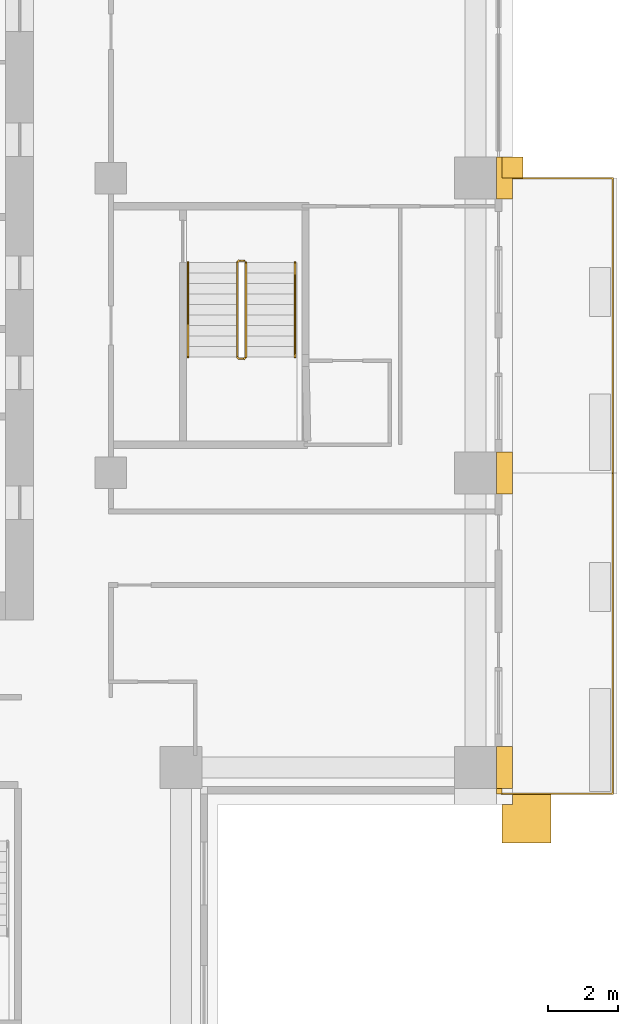
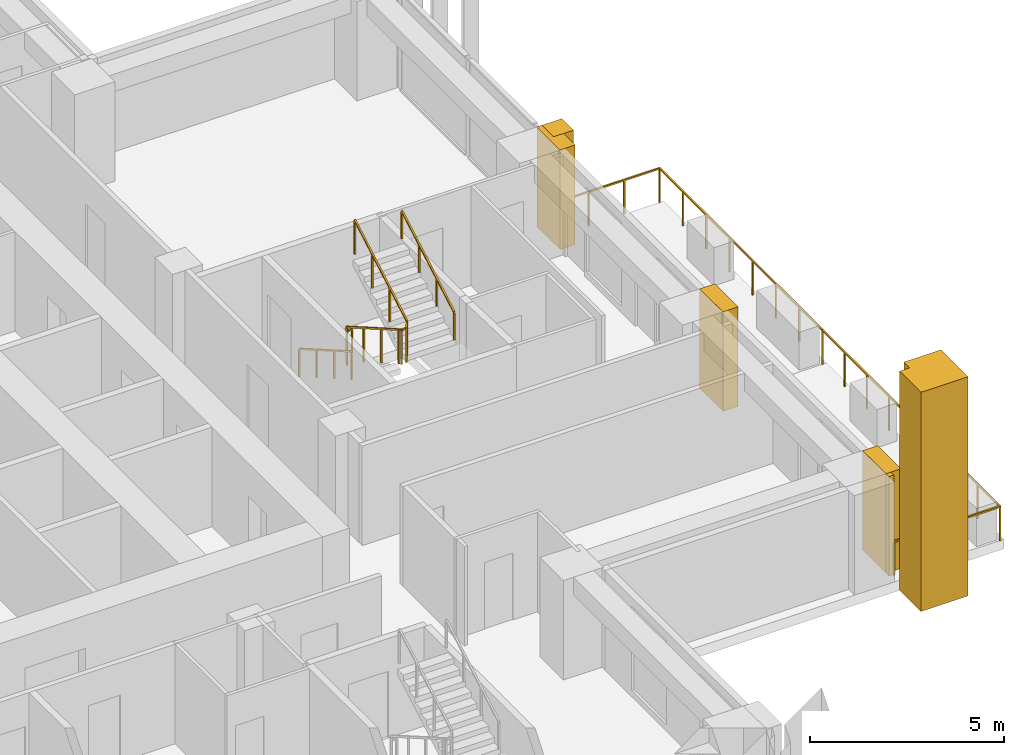
# One storey, part 17 of 19: 6 coverings, 5 railings.
"""IFC4 building model written with IfcOpenShell, lengths in metres."""

from ifc_helpers import new_model, si_unit, direction, frame, origin, origin_2d, place, context, subcontext, project, spatial, polyline, rectangle, outline, extrude, material, type_object, element, save


model = new_model("IFC4")

# Units and contexts
model_context = context("Model", 3, precision=1e-05, world=origin(), true_north=direction((0.0, 1.0)))
body_context = subcontext(model_context, "Body", "Model", "MODEL_VIEW")
ifc_project = project(units=[si_unit("LENGTHUNIT", "METRE"), si_unit("AREAUNIT", "SQUARE_METRE"), si_unit("VOLUMEUNIT", "CUBIC_METRE"), si_unit("PLANEANGLEUNIT", "RADIAN"), si_unit("MASSUNIT", "GRAM", prefix="KILO")], contexts=[model_context])

# Site, building, storey
site_placement = place(None, origin())
site = spatial("IfcSite", under=ifc_project, at=site_placement, CompositionType="ELEMENT")
building_placement = place(site_placement, origin())
building = spatial("IfcBuilding", under=site, at=building_placement, Name="Vermilion Ogive Tower", CompositionType="ELEMENT")
storey_placement = place(building_placement, frame((0.0, 0.0, 104.550048828125)))
storey = spatial("IfcBuildingStorey", under=building, at=storey_placement, Name="L26", CompositionType="ELEMENT", Elevation=104.550048828125)

# Railings
ifc_material_1 = material(Name="Stainless steel and glass", Category="steel")
railing_type_1 = type_object("IfcRailingType", Name="Balcony guard", PredefinedType="GUARDRAIL", material=ifc_material_1)
railing_1_placement = place(storey_placement, frame((25.949951171875, -13.35009765625, -0.0400390625)))
element("IfcRailing", 1, at=railing_1_placement, inside=storey, type_object=railing_type_1, Name="Guard E01", PredefinedType="GUARDRAIL", context=body_context, shape_type="SweptSolid", body=[
    extrude(rectangle(XDim=0.048095703125, YDim=0.048095703125, at=origin_2d()), frame((0.0, 0.0, 1.076171875), z_axis=(1.0, 0.0, 0.0), x_axis=(0.0, 1.0, 0.0)), (0.0, 0.0, 1.0), 3.16015625),
    extrude(rectangle(XDim=0.048095703125, YDim=0.048095703125, at=origin_2d()), frame((3.16015625, 0.0, 1.076171875), z_axis=(0.0, 1.0, 0.0), x_axis=(-1.0, 0.0, 0.0)), (0.0, 0.0, 1.0), 9.150146484375),
    extrude(rectangle(XDim=0.0419921875, YDim=0.0419921875, at=origin_2d()), origin(), (0.0, 0.0, 1.0), 1.052001953125),
    extrude(rectangle(XDim=0.0419921875, YDim=0.0419921875, at=origin_2d()), frame((1.053466796875, 0.0, 0.0)), (0.0, 0.0, 1.0), 1.052001953125),
    extrude(rectangle(XDim=0.0419921875, YDim=0.0419921875, at=origin_2d()), frame((2.106689453125, 0.0, 0.0)), (0.0, 0.0, 1.0), 1.052001953125),
    extrude(rectangle(XDim=0.0419921875, YDim=0.0419921875, at=origin_2d()), frame((3.16015625, 0.0, 0.0)), (0.0, 0.0, 1.0), 1.052001953125),
    extrude(rectangle(XDim=0.0419921875, YDim=0.0419921875, at=origin_2d()), frame((3.16015625, 1.143798828125, 0.0)), (0.0, 0.0, 1.0), 1.052001953125),
    extrude(rectangle(XDim=0.0419921875, YDim=0.0419921875, at=origin_2d()), frame((3.16015625, 2.28759765625, 0.0)), (0.0, 0.0, 1.0), 1.052001953125),
    extrude(rectangle(XDim=0.0419921875, YDim=0.0419921875, at=origin_2d()), frame((3.16015625, 3.431396484375, 0.0)), (0.0, 0.0, 1.0), 1.052001953125),
    extrude(rectangle(XDim=0.0419921875, YDim=0.0419921875, at=origin_2d()), frame((3.16015625, 4.5751953125, 0.0)), (0.0, 0.0, 1.0), 1.052001953125),
    extrude(rectangle(XDim=0.0419921875, YDim=0.0419921875, at=origin_2d()), frame((3.16015625, 5.71875, 0.0)), (0.0, 0.0, 1.0), 1.052001953125),
    extrude(rectangle(XDim=0.0419921875, YDim=0.0419921875, at=origin_2d()), frame((3.16015625, 6.862548828125, 0.0)), (0.0, 0.0, 1.0), 1.052001953125),
    extrude(rectangle(XDim=0.0419921875, YDim=0.0419921875, at=origin_2d()), frame((3.16015625, 8.00634765625, 0.0)), (0.0, 0.0, 1.0), 1.052001953125),
    extrude(rectangle(XDim=0.0419921875, YDim=0.0419921875, at=origin_2d()), frame((3.16015625, 9.150146484375, 0.0)), (0.0, 0.0, 1.0), 1.052001953125),
])
railing_2_placement = place(storey_placement, frame((29.110107421875, -4.199951171875, -0.0400390625)))
element("IfcRailing", 2, at=railing_2_placement, inside=storey, type_object=railing_type_1, Name="Guard E02", PredefinedType="GUARDRAIL", context=body_context, shape_type="SweptSolid", body=[
    extrude(rectangle(XDim=0.048095703125, YDim=0.048095703125, at=origin_2d()), frame((0.0, 0.0, 1.076171875), z_axis=(0.0, 1.0, 0.0), x_axis=(-1.0, 0.0, 0.0)), (0.0, 0.0, 1.0), 8.39990234375),
    extrude(rectangle(XDim=0.048095703125, YDim=0.048095703125, at=origin_2d()), frame((0.0, 8.39990234375, 1.076171875), z_axis=(-1.0, 0.0, 0.0), x_axis=(0.0, -1.0, 0.0)), (0.0, 0.0, 1.0), 3.16015625),
    extrude(rectangle(XDim=0.0419921875, YDim=0.0419921875, at=origin_2d()), origin(), (0.0, 0.0, 1.0), 1.052001953125),
    extrude(rectangle(XDim=0.0419921875, YDim=0.0419921875, at=origin_2d()), frame((0.0, 1.199951171875, 0.0)), (0.0, 0.0, 1.0), 1.052001953125),
    extrude(rectangle(XDim=0.0419921875, YDim=0.0419921875, at=origin_2d()), frame((0.0, 2.39990234375, 0.0)), (0.0, 0.0, 1.0), 1.052001953125),
    extrude(rectangle(XDim=0.0419921875, YDim=0.0419921875, at=origin_2d()), frame((0.0, 3.599853515625, 0.0)), (0.0, 0.0, 1.0), 1.052001953125),
    extrude(rectangle(XDim=0.0419921875, YDim=0.0419921875, at=origin_2d()), frame((0.0, 4.800048828125, 0.0)), (0.0, 0.0, 1.0), 1.052001953125),
    extrude(rectangle(XDim=0.0419921875, YDim=0.0419921875, at=origin_2d()), frame((0.0, 6.0, 0.0)), (0.0, 0.0, 1.0), 1.052001953125),
    extrude(rectangle(XDim=0.0419921875, YDim=0.0419921875, at=origin_2d()), frame((0.0, 7.199951171875, 0.0)), (0.0, 0.0, 1.0), 1.052001953125),
    extrude(rectangle(XDim=0.0419921875, YDim=0.0419921875, at=origin_2d()), frame((0.0, 8.39990234375, 0.0)), (0.0, 0.0, 1.0), 1.052001953125),
    extrude(rectangle(XDim=0.0419921875, YDim=0.0419921875, at=origin_2d()), frame((-1.053466796875, 8.39990234375, 0.0)), (0.0, 0.0, 1.0), 1.052001953125),
    extrude(rectangle(XDim=0.0419921875, YDim=0.0419921875, at=origin_2d()), frame((-2.106689453125, 8.39990234375, 0.0)), (0.0, 0.0, 1.0), 1.052001953125),
    extrude(rectangle(XDim=0.0419921875, YDim=0.0419921875, at=origin_2d()), frame((-3.16015625, 8.39990234375, 0.0)), (0.0, 0.0, 1.0), 1.052001953125),
])
ifc_material_2 = material(Name="Steel S355 painted", Category="steel")
railing_type_2 = type_object("IfcRailingType", Name="Stair guard 1100", PredefinedType="GUARDRAIL", material=ifc_material_2)
railing_3_placement = place(storey_placement, frame((18.60009765625, 1.85009765625, 0.0)))
element("IfcRailing", 3, at=railing_3_placement, inside=storey, type_object=railing_type_2, Name="L26 ST8 stair guard 4", PredefinedType="GUARDRAIL", context=body_context, shape_type="SweptSolid", body=[
    extrude(rectangle(XDim=0.048095703125, YDim=0.048095703125, at=origin_2d()), frame((0.0, 0.0, 1.076171875), z_axis=(-1.0, 0.0, 0.0), x_axis=(0.0, -1.0, 0.0)), (0.0, 0.0, 1.0), 0.150146484375),
    extrude(rectangle(XDim=0.048095703125, YDim=0.048095703125, at=origin_2d()), frame((-0.150146484375, 0.0, 1.076171875), z_axis=(-0.268603158521, -0.268603158521, 0.925043072762), x_axis=(0.707106781187, -0.707106781187, 0.0)), (0.0, 0.0, 1.0), 0.186279296875),
    extrude(rectangle(XDim=0.048095703125, YDim=0.048095703125, at=origin_2d()), frame((-0.2001953125, -0.050048828125, 1.24853515625), z_axis=(0.0, -0.866903762492, 0.498475542607), x_axis=(1.0, 0.0, 0.0)), (0.0, 0.0, 1.0), 3.114501953125),
    extrude(rectangle(XDim=0.048095703125, YDim=0.048095703125, at=origin_2d()), frame((-0.2001953125, -2.75, 2.80078125), z_axis=(0.707106781187, -0.707106781187, 0.0), x_axis=(0.707106781187, 0.707106781187, 0.0)), (0.0, 0.0, 1.0), 0.07080078125),
    extrude(rectangle(XDim=0.048095703125, YDim=0.048095703125, at=origin_2d()), frame((-0.150146484375, -2.800048828125, 2.80078125), z_axis=(1.0, 0.0, 0.0), x_axis=(0.0, 1.0, 0.0)), (0.0, 0.0, 1.0), 0.150146484375),
    extrude(rectangle(XDim=0.048095703125, YDim=0.048095703125, at=origin_2d()), frame((0.0, -2.800048828125, 2.80078125), z_axis=(0.267062837333, 0.268371968888, 0.925556009775), x_axis=(-0.708833529934, 0.705375805398, 0.0)), (0.0, 0.0, 1.0), 0.1865234375),
    extrude(rectangle(XDim=0.048095703125, YDim=0.048095703125, at=origin_2d()), frame((0.0498046875, -2.75, 2.9736328125), z_axis=(0.0, 0.866903762492, 0.498475542607), x_axis=(-1.0, 0.0, 0.0)), (0.0, 0.0, 1.0), 3.114501953125),
    extrude(rectangle(XDim=0.0419921875, YDim=0.0419921875, at=origin_2d()), origin(), (0.0, 0.0, 1.0), 1.052001953125),
    extrude(rectangle(XDim=0.0419921875, YDim=0.0419921875, at=origin_2d()), frame((-0.150146484375, 0.0, 0.0)), (0.0, 0.0, 1.0), 1.052001953125),
    extrude(rectangle(XDim=0.0419921875, YDim=0.0419921875, at=origin_2d()), frame((-0.2001953125, -0.050048828125, 0.17236328125)), (0.0, 0.0, 1.0), 1.052001953125),
    extrude(rectangle(XDim=0.0419921875, YDim=0.0419921875, at=origin_2d()), frame((-0.2001953125, -0.949951171875, 0.68994140625)), (0.0, 0.0, 1.0), 1.052001953125),
    extrude(rectangle(XDim=0.0419921875, YDim=0.0419921875, at=origin_2d()), frame((-0.2001953125, -1.85009765625, 1.207275390625)), (0.0, 0.0, 1.0), 1.052001953125),
    extrude(rectangle(XDim=0.0419921875, YDim=0.0419921875, at=origin_2d()), frame((-0.2001953125, -2.75, 1.724853515625)), (0.0, 0.0, 1.0), 1.052001953125),
    extrude(rectangle(XDim=0.0419921875, YDim=0.0419921875, at=origin_2d()), frame((-0.150146484375, -2.800048828125, 1.724853515625)), (0.0, 0.0, 1.0), 1.052001953125),
    extrude(rectangle(XDim=0.0419921875, YDim=0.0419921875, at=origin_2d()), frame((0.0, -2.800048828125, 1.724853515625)), (0.0, 0.0, 1.0), 1.052001953125),
    extrude(rectangle(XDim=0.0419921875, YDim=0.0419921875, at=origin_2d()), frame((0.0498046875, -2.75, 1.8974609375)), (0.0, 0.0, 1.0), 1.052001953125),
    extrude(rectangle(XDim=0.0419921875, YDim=0.0419921875, at=origin_2d()), frame((0.0498046875, -1.85009765625, 2.4150390625)), (0.0, 0.0, 1.0), 1.052001953125),
    extrude(rectangle(XDim=0.0419921875, YDim=0.0419921875, at=origin_2d()), frame((0.0498046875, -0.949951171875, 2.932373046875)), (0.0, 0.0, 1.0), 1.052001953125),
    extrude(rectangle(XDim=0.0419921875, YDim=0.0419921875, at=origin_2d()), frame((0.0498046875, -0.050048828125, 3.449951171875)), (0.0, 0.0, 1.0), 1.052001953125),
])
ifc_material_3 = material(Name="Stainless steel", Category="steel")
railing_type_3 = type_object("IfcRailingType", Name="Stair handrail 900", PredefinedType="HANDRAIL", material=ifc_material_3)
railing_4_placement = place(storey_placement, frame((17.0, 1.800048828125, 0.17236328125)))
element("IfcRailing", 4, at=railing_4_placement, inside=storey, type_object=railing_type_3, Name="L26 ST8 stair handrail 1", PredefinedType="HANDRAIL", context=body_context, shape_type="SweptSolid", body=[
    extrude(rectangle(XDim=0.048095703125, YDim=0.048095703125, at=origin_2d()), frame((0.0, 0.0, 0.8759765625), z_axis=(0.0, -0.866903762492, 0.498475542607), x_axis=(1.0, 0.0, 0.0)), (0.0, 0.0, 1.0), 3.114501953125),
    extrude(rectangle(XDim=0.0419921875, YDim=0.0419921875, at=origin_2d()), origin(), (0.0, 0.0, 1.0), 0.851806640625),
    extrude(rectangle(XDim=0.0419921875, YDim=0.0419921875, at=origin_2d()), frame((0.0, -0.89990234375, 0.517578125)), (0.0, 0.0, 1.0), 0.851806640625),
    extrude(rectangle(XDim=0.0419921875, YDim=0.0419921875, at=origin_2d()), frame((0.0, -1.800048828125, 1.034912109375)), (0.0, 0.0, 1.0), 0.851806640625),
    extrude(rectangle(XDim=0.0419921875, YDim=0.0419921875, at=origin_2d()), frame((0.0, -2.699951171875, 1.552490234375)), (0.0, 0.0, 1.0), 0.851806640625),
])
railing_5_placement = place(storey_placement, frame((20.050048828125, -0.89990234375, 1.8974609375)))
element("IfcRailing", 5, at=railing_5_placement, inside=storey, type_object=railing_type_3, Name="L26 ST8 stair handrail 2", PredefinedType="HANDRAIL", context=body_context, shape_type="SweptSolid", body=[
    extrude(rectangle(XDim=0.048095703125, YDim=0.048095703125, at=origin_2d()), frame((0.0, 0.0, 0.8759765625), z_axis=(0.0, 0.866903762492, 0.498475542607), x_axis=(-1.0, 0.0, 0.0)), (0.0, 0.0, 1.0), 3.114501953125),
    extrude(rectangle(XDim=0.0419921875, YDim=0.0419921875, at=origin_2d()), origin(), (0.0, 0.0, 1.0), 0.851806640625),
    extrude(rectangle(XDim=0.0419921875, YDim=0.0419921875, at=origin_2d()), frame((0.0, 0.89990234375, 0.517578125)), (0.0, 0.0, 1.0), 0.851806640625),
    extrude(rectangle(XDim=0.0419921875, YDim=0.0419921875, at=origin_2d()), frame((0.0, 1.800048828125, 1.034912109375)), (0.0, 0.0, 1.0), 0.851806640625),
    extrude(rectangle(XDim=0.0419921875, YDim=0.0419921875, at=origin_2d()), frame((0.0, 2.699951171875, 1.552490234375)), (0.0, 0.0, 1.0), 0.851806640625),
])

# Coverings
ifc_material_4 = material(Name="Stone cladding", Category="masonry")
covering_type_1 = type_object("IfcCoveringType", Name="Stone corner buttress", PredefinedType="CLADDING", material=ifc_material_4)
covering_1_placement = place(storey_placement, origin())
element("IfcCovering", 6, at=covering_1_placement, inside=storey, type_object=covering_type_1, Name="Stone crease pier EK", PredefinedType="CLADDING", context=body_context, shape_type="SweptSolid", body=[
    extrude(outline(polyline([(26.550048828125, 4.199951171875), (26.550048828125, 4.800048828125), (25.949951171875, 4.800048828125), (25.949951171875, 4.199951171875), (26.550048828125, 4.199951171875)])), origin(), (0.0, 0.0, 1.0), 3.1298828125),
])
covering_2_placement = place(storey_placement, frame((0.0, 0.0, -0.320068359375)))
element("IfcCovering", 7, at=covering_2_placement, inside=storey, type_object=covering_type_1, Name="Stone corner buttress E1", PredefinedType="CLADDING", context=body_context, shape_type="SweptSolid", body=[
    extrude(outline(polyline([(26.25, -13.64990234375), (26.25, -13.35009765625), (27.35009765625, -13.35009765625), (27.35009765625, -14.75), (25.949951171875, -14.75), (25.949951171875, -13.64990234375), (26.25, -13.64990234375)])), origin(), (0.0, 0.0, 1.0), 6.89990234375),
])
ifc_material_5 = material(Name="Stone cladding", Category="masonry")
covering_type_2 = type_object("IfcCoveringType", Name="Stone pier", PredefinedType="CLADDING", material=ifc_material_5)
covering_3_placement = place(storey_placement, origin())
element("IfcCovering", 8, at=covering_3_placement, inside=storey, type_object=covering_type_2, Name="Stone corner pier X2E1", PredefinedType="CLADDING", context=body_context, shape_type="SweptSolid", body=[
    extrude(outline(polyline([(25.800048828125, -13.35009765625), (25.800048828125, -13.199951171875), (25.949951171875, -13.199951171875), (25.949951171875, -13.35009765625), (25.800048828125, -13.35009765625)])), origin(), (0.0, 0.0, 1.0), 3.1298828125),
])
covering_4_placement = place(storey_placement, origin())
element("IfcCovering", 9, at=covering_4_placement, inside=storey, type_object=covering_type_2, Name="Stone pier P+0252+042", PredefinedType="CLADDING", context=body_context, shape_type="SweptSolid", body=[
    extrude(outline(polyline([(25.800048828125, 4.800048828125), (25.800048828125, 4.800048828125), (26.25, 4.800048828125), (26.25, 4.800048828125), (25.949951171875, 4.800048828125), (25.949951171875, 4.199951171875), (26.25, 4.199951171875), (26.25, 3.60009765625), (25.800048828125, 3.60009765625), (25.800048828125, 3.60009765625), (25.800048828125, 4.800048828125)])), origin(), (0.0, 0.0, 1.0), 3.1298828125),
])
covering_5_placement = place(storey_placement, origin())
element("IfcCovering", 10, at=covering_5_placement, inside=storey, type_object=covering_type_2, Name="Stone pier P+0252-042", PredefinedType="CLADDING", context=body_context, shape_type="SweptSolid", body=[
    extrude(outline(polyline([(25.800048828125, -3.60009765625), (26.25, -3.60009765625), (26.25, -4.800048828125), (25.800048828125, -4.800048828125), (25.800048828125, -4.800048828125), (25.800048828125, -3.60009765625)])), origin(), (0.0, 0.0, 1.0), 3.1298828125),
])
covering_6_placement = place(storey_placement, origin())
element("IfcCovering", 11, at=covering_6_placement, inside=storey, type_object=covering_type_2, Name="Stone pier P+0252-126E", PredefinedType="CLADDING", context=body_context, shape_type="SweptSolid", body=[
    extrude(outline(polyline([(26.25, -13.199951171875), (25.800048828125, -13.199951171875), (25.800048828125, -12.0), (26.25, -12.0), (26.25, -13.199951171875)])), origin(), (0.0, 0.0, 1.0), 3.1298828125),
])

save(model, "model.ifc")
